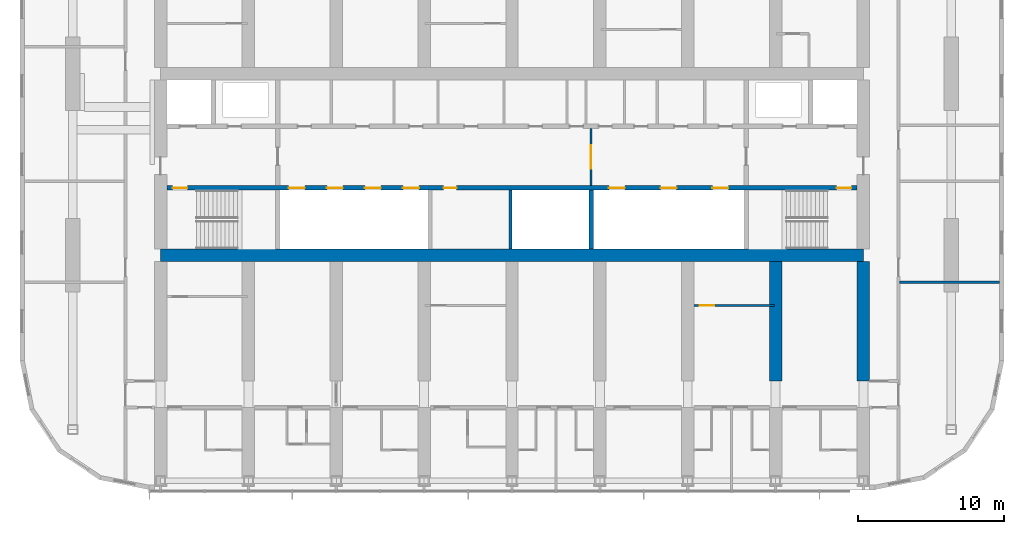
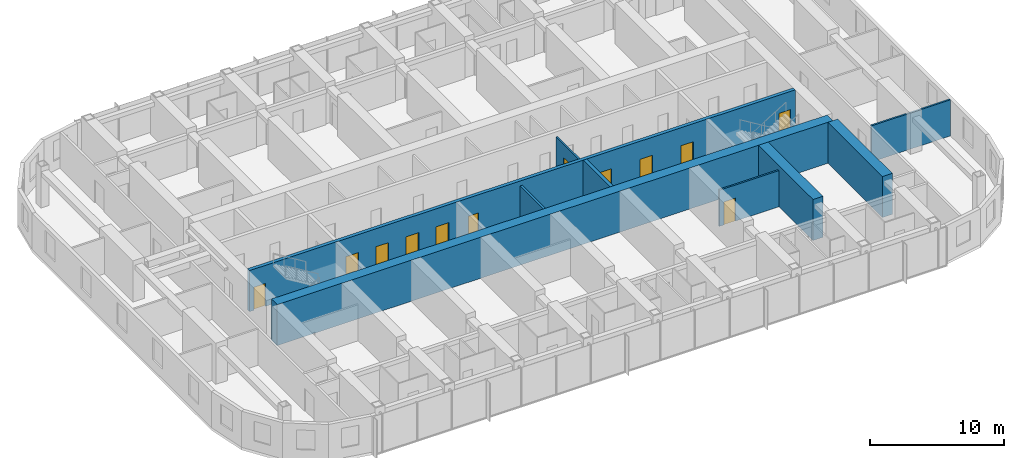
# One storey, part 13 of 23: 12 doors, 9 walls, 12 openings.
"""IFC4 building model written with IfcOpenShell, lengths in metres."""

from ifc_helpers import new_model, si_unit, direction, frame, frame_2d, origin, place, context, subcontext, project, spatial, rectangle, extrude, material, layer, layer_set, type_object, element, fill, save


model = new_model("IFC4")

# Units and contexts
model_context = context("Model", 3, precision=1e-05, world=origin(), true_north=direction((0.0, 1.0)))
body_context = subcontext(model_context, "Body", "Model", "MODEL_VIEW")
ifc_project = project(units=[si_unit("LENGTHUNIT", "METRE"), si_unit("AREAUNIT", "SQUARE_METRE"), si_unit("VOLUMEUNIT", "CUBIC_METRE"), si_unit("PLANEANGLEUNIT", "RADIAN"), si_unit("MASSUNIT", "GRAM", prefix="KILO")], contexts=[model_context])

# Site, building, storey
site_placement = place(None, origin())
site = spatial("IfcSite", under=ifc_project, at=site_placement, CompositionType="ELEMENT")
building_placement = place(site_placement, origin())
building = spatial("IfcBuilding", under=site, at=building_placement, Name="Orbita Commons", CompositionType="ELEMENT")
storey_placement = place(building_placement, frame((0.0, 0.0, 174.85009765625)))
storey = spatial("IfcBuildingStorey", under=building, at=storey_placement, Name="L43", CompositionType="ELEMENT", Elevation=174.85009765625)

# Wall, openings, doors
ifc_material_1 = material(Name="Concrete C50/60", Category="concrete")
ifc_layer_1 = layer(ifc_material_1, 0.300048828125)
ifc_layer_set_1 = layer_set([ifc_layer_1], Name="Concrete C50/60")
wall_type_1 = type_object("IfcWallType", Name="Core inner wall 300 C50/60", PredefinedType="SHEAR", material=ifc_layer_set_1)
wall_1_placement = place(storey_placement, frame((18.425048828125, 30.39990234375, 0.0), z_axis=(0.0, 0.0, 1.0), x_axis=(1.0, 0.0, 0.0)))
wall_1 = element("IfcWall", 1, at=wall_1_placement, inside=storey, type_object=wall_type_1, Name="Lobby wall south L43", PredefinedType="SHEAR", context=body_context, shape_type="SweptSolid", body=[
    extrude(rectangle(XDim=47.14990234375, YDim=0.300048828125, at=frame_2d((23.574951171875, 0.0))), origin(), (0.0, 0.0, 1.0), 3.75),
])
opening_1_placement = place(wall_1_placement, frame((0.39990234375, 0.0, 0.0)))
opening_1 = element("IfcOpeningElement", 2, at=opening_1_placement, cuts=wall_1, Name="Opening D02", PredefinedType="OPENING", context=body_context, shape_type="SweptSolid", body=[
    extrude(rectangle(XDim=1.0, YDim=2.10009765625, at=frame_2d((0.5, 1.050048828125))), frame((0.0, 0.159912109375, 0.0), z_axis=(0.0, -1.0, 0.0), x_axis=(1.0, 0.0, 0.0)), (0.0, 0.0, 1.0), 0.320068359375),
])
opening_2_placement = place(wall_1_placement, frame((45.75, 0.0, 0.0)))
opening_2 = element("IfcOpeningElement", 3, at=opening_2_placement, cuts=wall_1, Name="Opening D02", PredefinedType="OPENING", context=body_context, shape_type="SweptSolid", body=[
    extrude(rectangle(XDim=1.0, YDim=2.10009765625, at=frame_2d((0.5, 1.050048828125))), frame((0.0, 0.159912109375, 0.0), z_axis=(0.0, -1.0, 0.0), x_axis=(1.0, 0.0, 0.0)), (0.0, 0.0, 1.0), 0.320068359375),
])
opening_3_placement = place(wall_1_placement, frame((8.324951171875, 0.0, 0.0)))
opening_3 = element("IfcOpeningElement", 4, at=opening_3_placement, cuts=wall_1, Name="Opening LD02", PredefinedType="OPENING", context=body_context, shape_type="SweptSolid", body=[
    extrude(rectangle(XDim=1.10009765625, YDim=2.10009765625, at=frame_2d((0.550048828125, 1.050048828125))), frame((0.0, 0.159912109375, 0.0), z_axis=(0.0, -1.0, 0.0), x_axis=(1.0, 0.0, 0.0)), (0.0, 0.0, 1.0), 0.320068359375),
])
opening_4_placement = place(wall_1_placement, frame((10.925048828125, 0.0, 0.0)))
opening_4 = element("IfcOpeningElement", 5, at=opening_4_placement, cuts=wall_1, Name="Opening LD02", PredefinedType="OPENING", context=body_context, shape_type="SweptSolid", body=[
    extrude(rectangle(XDim=1.10009765625, YDim=2.10009765625, at=frame_2d((0.550048828125, 1.050048828125))), frame((0.0, 0.159912109375, 0.0), z_axis=(0.0, -1.0, 0.0), x_axis=(1.0, 0.0, 0.0)), (0.0, 0.0, 1.0), 0.320068359375),
])
opening_5_placement = place(wall_1_placement, frame((13.52490234375, 0.0, 0.0)))
opening_5 = element("IfcOpeningElement", 6, at=opening_5_placement, cuts=wall_1, Name="Opening LD02", PredefinedType="OPENING", context=body_context, shape_type="SweptSolid", body=[
    extrude(rectangle(XDim=1.10009765625, YDim=2.10009765625, at=frame_2d((0.550048828125, 1.050048828125))), frame((0.0, 0.159912109375, 0.0), z_axis=(0.0, -1.0, 0.0), x_axis=(1.0, 0.0, 0.0)), (0.0, 0.0, 1.0), 0.320068359375),
])
opening_6_placement = place(wall_1_placement, frame((16.125, 0.0, 0.0)))
opening_6 = element("IfcOpeningElement", 7, at=opening_6_placement, cuts=wall_1, Name="Opening LD02", PredefinedType="OPENING", context=body_context, shape_type="SweptSolid", body=[
    extrude(rectangle(XDim=1.10009765625, YDim=2.10009765625, at=frame_2d((0.550048828125, 1.050048828125))), frame((0.0, 0.159912109375, 0.0), z_axis=(0.0, -1.0, 0.0), x_axis=(1.0, 0.0, 0.0)), (0.0, 0.0, 1.0), 0.320068359375),
])
opening_7_placement = place(wall_1_placement, frame((18.89990234375, 0.0, 0.0)))
opening_7 = element("IfcOpeningElement", 8, at=opening_7_placement, cuts=wall_1, Name="Opening D05", PredefinedType="OPENING", context=body_context, shape_type="SweptSolid", body=[
    extrude(rectangle(XDim=0.89990234375, YDim=2.10009765625, at=frame_2d((0.449951171875, 1.050048828125))), frame((0.0, 0.159912109375, 0.0), z_axis=(0.0, -1.0, 0.0), x_axis=(1.0, 0.0, 0.0)), (0.0, 0.0, 1.0), 0.320068359375),
])
opening_8_placement = place(wall_1_placement, frame((30.191650390625, 0.0, 0.0)))
opening_8 = element("IfcOpeningElement", 9, at=opening_8_placement, cuts=wall_1, Name="Opening LD02", PredefinedType="OPENING", context=body_context, shape_type="SweptSolid", body=[
    extrude(rectangle(XDim=1.10009765625, YDim=2.10009765625, at=frame_2d((0.550048828125, 1.050048828125))), frame((0.0, 0.159912109375, 0.0), z_axis=(0.0, -1.0, 0.0), x_axis=(1.0, 0.0, 0.0)), (0.0, 0.0, 1.0), 0.320068359375),
])
opening_9_placement = place(wall_1_placement, frame((33.72509765625, 0.0, 0.0)))
opening_9 = element("IfcOpeningElement", 10, at=opening_9_placement, cuts=wall_1, Name="Opening LD02", PredefinedType="OPENING", context=body_context, shape_type="SweptSolid", body=[
    extrude(rectangle(XDim=1.10009765625, YDim=2.10009765625, at=frame_2d((0.550048828125, 1.050048828125))), frame((0.0, 0.159912109375, 0.0), z_axis=(0.0, -1.0, 0.0), x_axis=(1.0, 0.0, 0.0)), (0.0, 0.0, 1.0), 0.320068359375),
])
opening_10_placement = place(wall_1_placement, frame((37.25830078125, 0.0, 0.0)))
opening_10 = element("IfcOpeningElement", 11, at=opening_10_placement, cuts=wall_1, Name="Opening LD02", PredefinedType="OPENING", context=body_context, shape_type="SweptSolid", body=[
    extrude(rectangle(XDim=1.10009765625, YDim=2.10009765625, at=frame_2d((0.550048828125, 1.050048828125))), frame((0.0, 0.159912109375, 0.0), z_axis=(0.0, -1.0, 0.0), x_axis=(1.0, 0.0, 0.0)), (0.0, 0.0, 1.0), 0.320068359375),
])
ifc_material_2 = material(Name="Steel-faced fire door leaf", Category="steel")
door_type_1 = type_object("IfcDoorType", Name="Fire door 90 min 1000x2100", OperationType="SINGLE_SWING_LEFT", PredefinedType="DOOR", material=ifc_material_2)
door_1_placement = place(opening_1_placement, origin())
door_1 = element("IfcDoor", 12, at=door_1_placement, inside=storey, type_object=door_type_1, Name="Stair S1 door", OperationType="SINGLE_SWING_LEFT", OverallHeight=2.10009765625, OverallWidth=1.0, PredefinedType="DOOR", context=body_context, shape_type="SweptSolid", body=[
    extrude(rectangle(XDim=1.0, YDim=2.10009765625, at=frame_2d((0.5, 1.050048828125))), frame((0.0, 0.02490234375, 0.0), z_axis=(0.0, -1.0, 0.0), x_axis=(1.0, 0.0, 0.0)), (0.0, 0.0, 1.0), 0.050048828125),
])
fill(opening_1, door_1)
door_2_placement = place(opening_2_placement, origin())
door_2 = element("IfcDoor", 13, at=door_2_placement, inside=storey, type_object=door_type_1, Name="Stair S2 door", OperationType="SINGLE_SWING_LEFT", OverallHeight=2.10009765625, OverallWidth=1.0, PredefinedType="DOOR", context=body_context, shape_type="SweptSolid", body=[
    extrude(rectangle(XDim=1.0, YDim=2.10009765625, at=frame_2d((0.5, 1.050048828125))), frame((0.0, 0.02490234375, 0.0), z_axis=(0.0, -1.0, 0.0), x_axis=(1.0, 0.0, 0.0)), (0.0, 0.0, 1.0), 0.050048828125),
])
fill(opening_2, door_2)
ifc_material_3 = material(Name="Steel-faced fire door leaf", Category="steel")
door_type_2 = type_object("IfcDoorType", Name="Lift landing door 1100x2100", OperationType="DOUBLE_DOOR_SLIDING", PredefinedType="DOOR", material=ifc_material_3)
door_3_placement = place(opening_3_placement, origin())
door_3 = element("IfcDoor", 14, at=door_3_placement, inside=storey, type_object=door_type_2, Name="Lift P31 landing door", OperationType="DOUBLE_DOOR_SLIDING", OverallHeight=2.10009765625, OverallWidth=1.10009765625, PredefinedType="DOOR", context=body_context, shape_type="SweptSolid", body=[
    extrude(rectangle(XDim=1.10009765625, YDim=2.10009765625, at=frame_2d((0.550048828125, 1.050048828125))), frame((0.0, 0.02490234375, 0.0), z_axis=(0.0, -1.0, 0.0), x_axis=(1.0, 0.0, 0.0)), (0.0, 0.0, 1.0), 0.050048828125),
])
fill(opening_3, door_3)
door_4_placement = place(opening_4_placement, origin())
door_4 = element("IfcDoor", 15, at=door_4_placement, inside=storey, type_object=door_type_2, Name="Lift P32 landing door", OperationType="DOUBLE_DOOR_SLIDING", OverallHeight=2.10009765625, OverallWidth=1.10009765625, PredefinedType="DOOR", context=body_context, shape_type="SweptSolid", body=[
    extrude(rectangle(XDim=1.10009765625, YDim=2.10009765625, at=frame_2d((0.550048828125, 1.050048828125))), frame((0.0, 0.02490234375, 0.0), z_axis=(0.0, -1.0, 0.0), x_axis=(1.0, 0.0, 0.0)), (0.0, 0.0, 1.0), 0.050048828125),
])
fill(opening_4, door_4)
door_5_placement = place(opening_5_placement, origin())
door_5 = element("IfcDoor", 16, at=door_5_placement, inside=storey, type_object=door_type_2, Name="Lift P33 landing door", OperationType="DOUBLE_DOOR_SLIDING", OverallHeight=2.10009765625, OverallWidth=1.10009765625, PredefinedType="DOOR", context=body_context, shape_type="SweptSolid", body=[
    extrude(rectangle(XDim=1.10009765625, YDim=2.10009765625, at=frame_2d((0.550048828125, 1.050048828125))), frame((0.0, 0.02490234375, 0.0), z_axis=(0.0, -1.0, 0.0), x_axis=(1.0, 0.0, 0.0)), (0.0, 0.0, 1.0), 0.050048828125),
])
fill(opening_5, door_5)
door_6_placement = place(opening_6_placement, origin())
door_6 = element("IfcDoor", 17, at=door_6_placement, inside=storey, type_object=door_type_2, Name="Lift P34 landing door", OperationType="DOUBLE_DOOR_SLIDING", OverallHeight=2.10009765625, OverallWidth=1.10009765625, PredefinedType="DOOR", context=body_context, shape_type="SweptSolid", body=[
    extrude(rectangle(XDim=1.10009765625, YDim=2.10009765625, at=frame_2d((0.550048828125, 1.050048828125))), frame((0.0, 0.02490234375, 0.0), z_axis=(0.0, -1.0, 0.0), x_axis=(1.0, 0.0, 0.0)), (0.0, 0.0, 1.0), 0.050048828125),
])
fill(opening_6, door_6)
door_7_placement = place(opening_8_placement, origin())
door_7 = element("IfcDoor", 18, at=door_7_placement, inside=storey, type_object=door_type_2, Name="Lift SV1 landing door", OperationType="DOUBLE_DOOR_SLIDING", OverallHeight=2.10009765625, OverallWidth=1.10009765625, PredefinedType="DOOR", context=body_context, shape_type="SweptSolid", body=[
    extrude(rectangle(XDim=1.10009765625, YDim=2.10009765625, at=frame_2d((0.550048828125, 1.050048828125))), frame((0.0, 0.02490234375, 0.0), z_axis=(0.0, -1.0, 0.0), x_axis=(1.0, 0.0, 0.0)), (0.0, 0.0, 1.0), 0.050048828125),
])
fill(opening_8, door_7)
door_8_placement = place(opening_9_placement, origin())
door_8 = element("IfcDoor", 19, at=door_8_placement, inside=storey, type_object=door_type_2, Name="Lift SV2 landing door", OperationType="DOUBLE_DOOR_SLIDING", OverallHeight=2.10009765625, OverallWidth=1.10009765625, PredefinedType="DOOR", context=body_context, shape_type="SweptSolid", body=[
    extrude(rectangle(XDim=1.10009765625, YDim=2.10009765625, at=frame_2d((0.550048828125, 1.050048828125))), frame((0.0, 0.02490234375, 0.0), z_axis=(0.0, -1.0, 0.0), x_axis=(1.0, 0.0, 0.0)), (0.0, 0.0, 1.0), 0.050048828125),
])
fill(opening_9, door_8)
door_9_placement = place(opening_10_placement, origin())
door_9 = element("IfcDoor", 20, at=door_9_placement, inside=storey, type_object=door_type_2, Name="Lift SV3 landing door", OperationType="DOUBLE_DOOR_SLIDING", OverallHeight=2.10009765625, OverallWidth=1.10009765625, PredefinedType="DOOR", context=body_context, shape_type="SweptSolid", body=[
    extrude(rectangle(XDim=1.10009765625, YDim=2.10009765625, at=frame_2d((0.550048828125, 1.050048828125))), frame((0.0, 0.02490234375, 0.0), z_axis=(0.0, -1.0, 0.0), x_axis=(1.0, 0.0, 0.0)), (0.0, 0.0, 1.0), 0.050048828125),
])
fill(opening_10, door_9)
ifc_material_4 = material(Name="Steel-faced fire door leaf", Category="steel")
door_type_3 = type_object("IfcDoorType", Name="Service door 20 min 900x2100", OperationType="SINGLE_SWING_LEFT", PredefinedType="DOOR", material=ifc_material_4)
door_10_placement = place(opening_7_placement, origin())
door_10 = element("IfcDoor", 21, at=door_10_placement, inside=storey, type_object=door_type_3, Name="Mail room door", OperationType="SINGLE_SWING_LEFT", OverallHeight=2.10009765625, OverallWidth=0.89990234375, PredefinedType="DOOR", context=body_context, shape_type="SweptSolid", body=[
    extrude(rectangle(XDim=0.89990234375, YDim=2.10009765625, at=frame_2d((0.449951171875, 1.050048828125))), frame((0.0, 0.02490234375, 0.0), z_axis=(0.0, -1.0, 0.0), x_axis=(1.0, 0.0, 0.0)), (0.0, 0.0, 1.0), 0.050048828125),
])
fill(opening_7, door_10)

# Wall
wall_2_placement = place(storey_placement, frame((47.39990234375, 26.22509765625, 0.0), z_axis=(0.0, 0.0, 1.0), x_axis=(0.0, 1.0, 0.0)))
element("IfcWall", 22, at=wall_2_placement, inside=storey, type_object=wall_type_1, Name="Hoistway division wall L43", PredefinedType="SHEAR", context=body_context, shape_type="SweptSolid", body=[
    extrude(rectangle(XDim=4.02490234375, YDim=0.300048828125, at=frame_2d((2.012451171875, 0.0))), origin(), (0.0, 0.0, 1.0), 3.75),
])

# Wall, opening, door
ifc_material_5 = material(Name="Concrete blockwork", Category="masonry")
ifc_layer_2 = layer(ifc_material_5, 0.14990234375)
ifc_layer_set_2 = layer_set([ifc_layer_2], Name="Concrete blockwork")
wall_type_2 = type_object("IfcWallType", Name="Core partition 150 blockwork", PredefinedType="SOLIDWALL", material=ifc_layer_set_2)
wall_3_placement = place(storey_placement, frame((47.39990234375, 30.550048828125, 0.0), z_axis=(0.0, 0.0, 1.0), x_axis=(0.0, 1.0, 0.0)))
wall_3 = element("IfcWall", 23, at=wall_3_placement, inside=storey, type_object=wall_type_2, Name="Core partition 150 blockwork L43", PredefinedType="SOLIDWALL", context=body_context, shape_type="SweptSolid", body=[
    extrude(rectangle(XDim=3.89990234375, YDim=0.14990234375, at=frame_2d((1.949951171875, 0.0))), origin(), (0.0, 0.0, 1.0), 3.2998046875),
])
opening_11_placement = place(wall_3_placement, frame((1.14990234375, 0.0, 0.0)))
opening_11 = element("IfcOpeningElement", 24, at=opening_11_placement, cuts=wall_3, Name="Opening D10", PredefinedType="OPENING", context=body_context, shape_type="SweptSolid", body=[
    extrude(rectangle(XDim=1.60009765625, YDim=2.10009765625, at=frame_2d((0.800048828125, 1.050048828125))), frame((0.0, 0.0849609375, 0.0), z_axis=(0.0, -1.0, 0.0), x_axis=(1.0, 0.0, 0.0)), (0.0, 0.0, 1.0), 0.169921875),
])
ifc_material_6 = material(Name="Steel-faced fire door leaf", Category="steel")
door_type_4 = type_object("IfcDoorType", Name="Double corridor door 20 min 1600x2100", OperationType="DOUBLE_DOOR_SINGLE_SWING", PredefinedType="DOOR", material=ifc_material_6)
door_11_placement = place(opening_11_placement, origin())
door_11 = element("IfcDoor", 25, at=door_11_placement, inside=storey, type_object=door_type_4, Name="Lift lobby screen doors", OperationType="DOUBLE_DOOR_SINGLE_SWING", OverallHeight=2.10009765625, OverallWidth=1.60009765625, PredefinedType="DOOR", context=body_context, shape_type="SweptSolid", body=[
    extrude(rectangle(XDim=1.60009765625, YDim=2.10009765625, at=frame_2d((0.800048828125, 1.050048828125))), frame((0.0, 0.02490234375, 0.0), z_axis=(0.0, -1.0, 0.0), x_axis=(1.0, 0.0, 0.0)), (0.0, 0.0, 1.0), 0.050048828125),
])
fill(opening_11, door_11)

# Walls
ifc_material_7 = material(Name="Concrete C50/60", Category="concrete")
ifc_layer_3 = layer(ifc_material_7, 0.85009765625)
ifc_layer_set_3 = layer_set([ifc_layer_3], Name="Concrete C50/60")
wall_type_3 = type_object("IfcWallType", Name="Core wall 850 C50/60", PredefinedType="SHEAR", material=ifc_layer_set_3)
wall_4_placement = place(storey_placement, frame((18.0, 25.800048828125, 0.0), z_axis=(0.0, 0.0, 1.0), x_axis=(1.0, 0.0, 0.0)))
element("IfcWall", 26, at=wall_4_placement, inside=storey, type_object=wall_type_3, Name="Core spine wall south L43", PredefinedType="SHEAR", context=body_context, shape_type="SweptSolid", body=[
    extrude(rectangle(XDim=48.0, YDim=0.85009765625, at=frame_2d((24.0, 0.0))), origin(), (0.0, 0.0, 1.0), 3.75),
])
ifc_material_8 = material(Name="Concrete C50/60", Category="concrete")
ifc_layer_4 = layer(ifc_material_8, 0.85009765625)
ifc_layer_set_4 = layer_set([ifc_layer_4], Name="Concrete C50/60")
wall_type_4 = type_object("IfcWallType", Name="Cross wall 850 C50/60", PredefinedType="SHEAR", material=ifc_layer_set_4)
for number, where, z_axis, x_axis, name in (
    (27, (60.0, 17.199951171875, 0.0), (0.0, 0.0, 1.0), (0.0, 1.0, 0.0), "Cross wall 11 south inner L43"),
    (28, (66.0, 17.199951171875, 0.0), (0.0, 0.0, 1.0), (0.0, 1.0, 0.0), "Cross wall 12 south inner L43"),
):
    element("IfcWall", number, at=place(storey_placement, frame(where, z_axis=z_axis, x_axis=x_axis)), inside=storey, type_object=wall_type_4, Name=name, PredefinedType="SHEAR", context=body_context, shape_type="SweptSolid", body=[
        extrude(rectangle(XDim=8.175048828125, YDim=0.85009765625, at=frame_2d((4.08740234375, 0.0))), origin(), (0.0, 0.0, 1.0), 3.75),
    ])

# Wall, opening, door
ifc_material_9 = material(Name="Gypsum plasterboard on steel studs", Category="steel")
ifc_layer_5 = layer(ifc_material_9, 0.14990234375)
ifc_layer_set_5 = layer_set([ifc_layer_5], Name="Gypsum plasterboard on steel studs")
wall_type_5 = type_object("IfcWallType", Name="Partition 150 plasterboard", PredefinedType="PARTITIONING", material=ifc_layer_set_5)
wall_5_placement = place(storey_placement, frame((54.425048828125, 22.375, 0.0), z_axis=(0.0, 0.0, 1.0), x_axis=(1.0, 0.0, 0.0)))
wall_5 = element("IfcWall", 29, at=wall_5_placement, inside=storey, type_object=wall_type_5, Name="Partition 150 plasterboard L43", PredefinedType="PARTITIONING", context=body_context, shape_type="SweptSolid", body=[
    extrude(rectangle(XDim=5.5, YDim=0.14990234375, at=frame_2d((2.75, 0.0))), origin(), (0.0, 0.0, 1.0), 3.2998046875),
])
opening_12_placement = place(wall_5_placement, frame((0.39990234375, 0.0, 0.0)))
opening_12 = element("IfcOpeningElement", 30, at=opening_12_placement, cuts=wall_5, Name="Opening D18", PredefinedType="OPENING", context=body_context, shape_type="SweptSolid", body=[
    extrude(rectangle(XDim=1.0, YDim=2.10009765625, at=frame_2d((0.5, 1.050048828125))), frame((0.0, 0.0849609375, 0.0), z_axis=(0.0, -1.0, 0.0), x_axis=(1.0, 0.0, 0.0)), (0.0, 0.0, 1.0), 0.169921875),
])
ifc_material_10 = material(Name="Steel-faced fire door leaf", Category="steel")
door_type_5 = type_object("IfcDoorType", Name="Service door 20 min 1000x2100", OperationType="SINGLE_SWING_LEFT", PredefinedType="DOOR", material=ifc_material_10)
door_12_placement = place(opening_12_placement, origin())
door_12 = element("IfcDoor", 31, at=door_12_placement, inside=storey, type_object=door_type_5, Name="Refuse and recycling room L43-BDS54 door", OperationType="SINGLE_SWING_LEFT", OverallHeight=2.10009765625, OverallWidth=1.0, PredefinedType="DOOR", context=body_context, shape_type="SweptSolid", body=[
    extrude(rectangle(XDim=1.0, YDim=2.10009765625, at=frame_2d((0.5, 1.050048828125))), frame((0.0, 0.02490234375, 0.0), z_axis=(0.0, -1.0, 0.0), x_axis=(1.0, 0.0, 0.0)), (0.0, 0.0, 1.0), 0.050048828125),
])
fill(opening_12, door_12)

# Walls
wall_6_placement = place(storey_placement, frame((68.47509765625, 23.9599609375, 0.0), z_axis=(0.0, 0.0, 1.0), x_axis=(1.0, 0.0, 0.0)))
element("IfcWall", 32, at=wall_6_placement, inside=storey, type_object=wall_type_5, Name="Partition 150 plasterboard L43", PredefinedType="PARTITIONING", context=body_context, shape_type="SweptSolid", body=[
    extrude(rectangle(XDim=6.81982421875, YDim=0.14990234375, at=frame_2d((3.409912109375, 0.0))), origin(), (0.0, 0.0, 1.0), 3.2998046875),
])
ifc_material_11 = material(Name="Concrete blockwork, fully filled", Category="masonry")
ifc_layer_6 = layer(ifc_material_11, 0.199951171875)
ifc_layer_set_6 = layer_set([ifc_layer_6], Name="Concrete blockwork, fully filled")
wall_type_6 = type_object("IfcWallType", Name="Shaft partition 200 blockwork", PredefinedType="SOLIDWALL", material=ifc_layer_set_6)
wall_7_placement = place(storey_placement, frame((41.89990234375, 26.22509765625, 0.0), z_axis=(0.0, 0.0, 1.0), x_axis=(0.0, 1.0, 0.0)))
element("IfcWall", 33, at=wall_7_placement, inside=storey, type_object=wall_type_6, Name="Shaft partition 200 blockwork L43", PredefinedType="SOLIDWALL", context=body_context, shape_type="SweptSolid", body=[
    extrude(rectangle(XDim=4.02490234375, YDim=0.199951171875, at=frame_2d((2.012451171875, 0.0))), origin(), (0.0, 0.0, 1.0), 3.2998046875),
])

save(model, "model.ifc")
